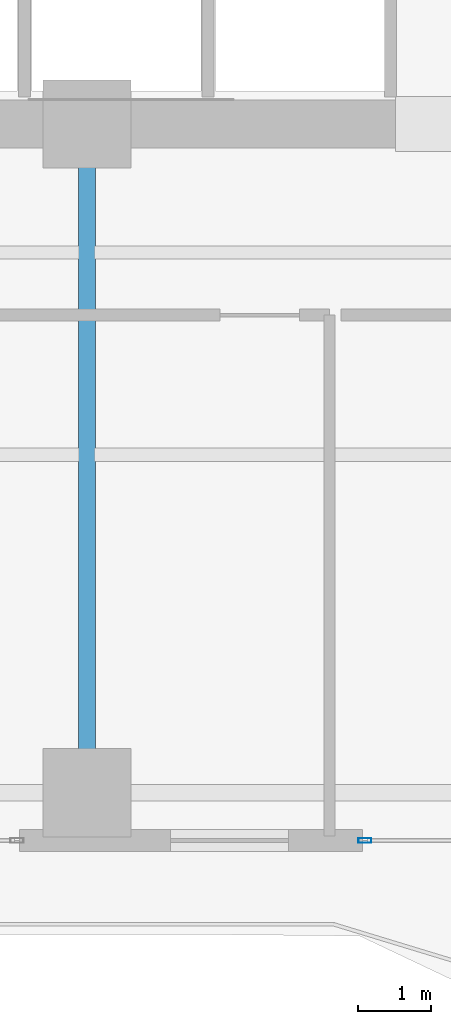
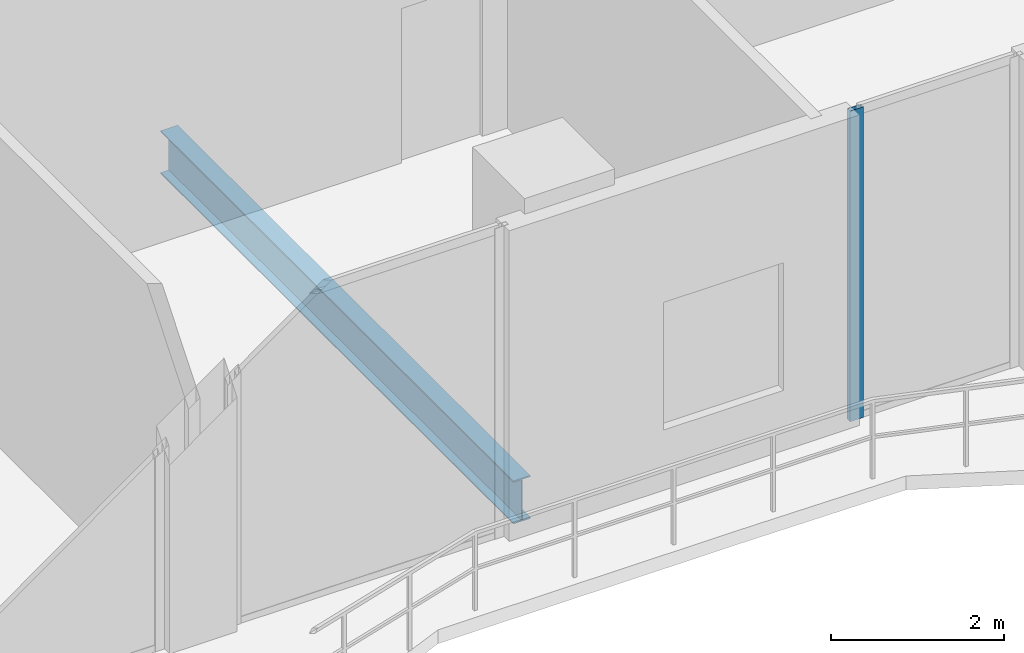
# One storey, part 5 of 31: 1 beam, 1 member, 1 element without a shape of its own.
"""IFC4 building model written with IfcOpenShell, lengths in metres."""

from ifc_helpers import new_model, si_unit, direction, frame, origin, origin_2d, place, context, subcontext, project, spatial, hollow_rectangle, i_section, extrude, material, layer, layer_set, material_profile, profile_set, type_object, element, aggregate, save


model = new_model("IFC4")

# Units and contexts
model_context = context("Model", 3, precision=1e-05, world=origin(), true_north=direction((0.0, 1.0)))
body_context = subcontext(model_context, "Body", "Model", "MODEL_VIEW")
ifc_project = project(units=[si_unit("LENGTHUNIT", "METRE"), si_unit("AREAUNIT", "SQUARE_METRE"), si_unit("VOLUMEUNIT", "CUBIC_METRE"), si_unit("PLANEANGLEUNIT", "RADIAN"), si_unit("MASSUNIT", "GRAM", prefix="KILO")], contexts=[model_context])

# Site, building, storey
site_placement = place(None, origin())
site = spatial("IfcSite", under=ifc_project, at=site_placement, CompositionType="ELEMENT")
building_placement = place(site_placement, origin())
building = spatial("IfcBuilding", under=site, at=building_placement, Name="Zuhayl Quay Hotel", CompositionType="ELEMENT")
storey_placement = place(building_placement, frame((0.0, 0.0, 172.800048828125)))
storey = spatial("IfcBuildingStorey", under=building, at=storey_placement, Name="L43", CompositionType="ELEMENT", Elevation=172.800048828125)

# Beam
ifc_material_1 = material(Name="Steel ASTM A992 Grade 50", Category="steel")
ifc_material_profile_1 = material_profile(ifc_material_1, i_section(OverallWidth=0.22802734375, OverallDepth=0.60693359375, WebThickness=0.01123046875, FlangeThickness=0.017333984375, at=origin_2d()), Name="W24X76")
ifc_profile_set_1 = profile_set([ifc_material_profile_1], Name="Steel ASTM A992 Grade 50")
beam_type = type_object("IfcBeamType", Name="BM_B3_W24X76", PredefinedType="BEAM", material=ifc_profile_set_1)
beam_placement = place(storey_placement, frame((4.60009765625, -6.449951171875, -0.5234375), z_axis=(0.0, 1.0, 0.0), x_axis=(-1.0, 0.0, 0.0)))
element("IfcBeam", 1, at=beam_placement, inside=storey, type_object=beam_type, Name="L43 Floor Beam FG_S_L43_3", PredefinedType="BEAM", context=body_context, shape_type="SweptSolid", body=[
    extrude(i_section(OverallWidth=0.22802734375, OverallDepth=0.60693359375, WebThickness=0.01123046875, FlangeThickness=0.017333984375, at=origin_2d()), origin(), (0.0, 0.0, 1.0), 8.14990234375),
])

# Curtain wall, member
ifc_material_2 = material(Name="Anodised Aluminium 6063-T6", Category="aluminium")
ifc_layer = layer(ifc_material_2, 0.175048828125, Name="Anodised Aluminium 6063-T6", Category="aluminium")
ifc_layer_set = layer_set([ifc_layer], Name="Anodised Aluminium 6063-T6")
curtain_wall_type = type_object("IfcCurtainWallType", Name="CW_SYS_Z3", PredefinedType="USERDEFINED", material=ifc_layer_set)
curtain_wall_placement = place(storey_placement, origin())
curtain_wall = element("IfcCurtainWall", 2, at=curtain_wall_placement, inside=storey, type_object=curtain_wall_type, Name="L43 Curtain Wall ENV_L43_S_CW2", ObjectType="UNITISED CURTAIN WALL", PredefinedType="USERDEFINED")
ifc_material_3 = material(Name="Black-anodised aluminium 6063-T6", Category="aluminium")
ifc_material_profile_2 = material_profile(ifc_material_3, hollow_rectangle(XDim=0.06494140625, YDim=0.179931640625, WallThickness=0.00341796875, at=origin_2d()), Name="ALU180X65")
ifc_profile_set_2 = profile_set([ifc_material_profile_2], Name="Black-anodised aluminium 6063-T6")
member_type = type_object("IfcMemberType", Name="MB_CW_MUL_180", PredefinedType="MULLION", material=ifc_profile_set_2)
member_placement = place(storey_placement, frame((8.382568359375, -7.60009765625, 0.0), z_axis=(0.0, 0.0, 1.0), x_axis=(0.0, -1.0, 0.0)))
member = element("IfcMember", 3, at=member_placement, type_object=member_type, Name="CW-Z3 mullion 2", PredefinedType="MULLION", context=body_context, shape_type="SweptSolid", body=[
    extrude(hollow_rectangle(XDim=0.06494140625, YDim=0.179931640625, WallThickness=0.00341796875, at=origin_2d()), origin(), (0.0, 0.0, 1.0), 4.3798828125),
])
aggregate(curtain_wall, [member])

save(model, "model.ifc")
